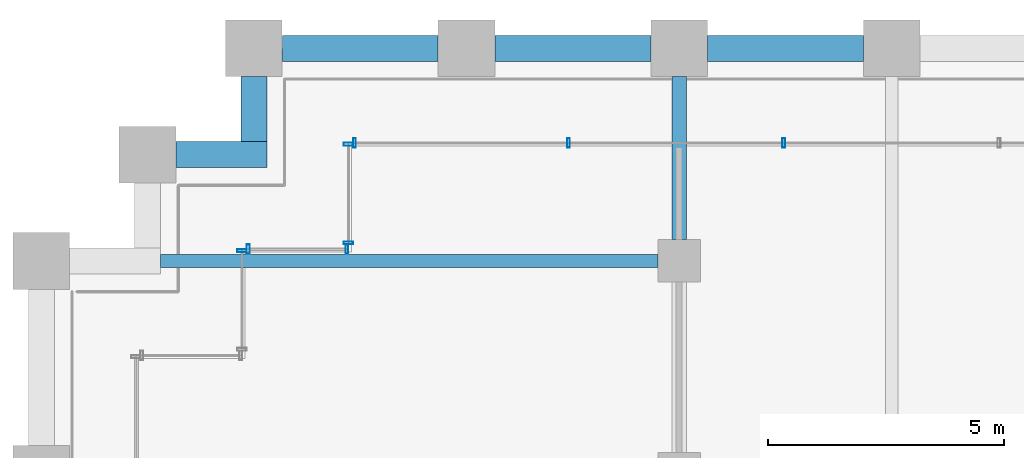
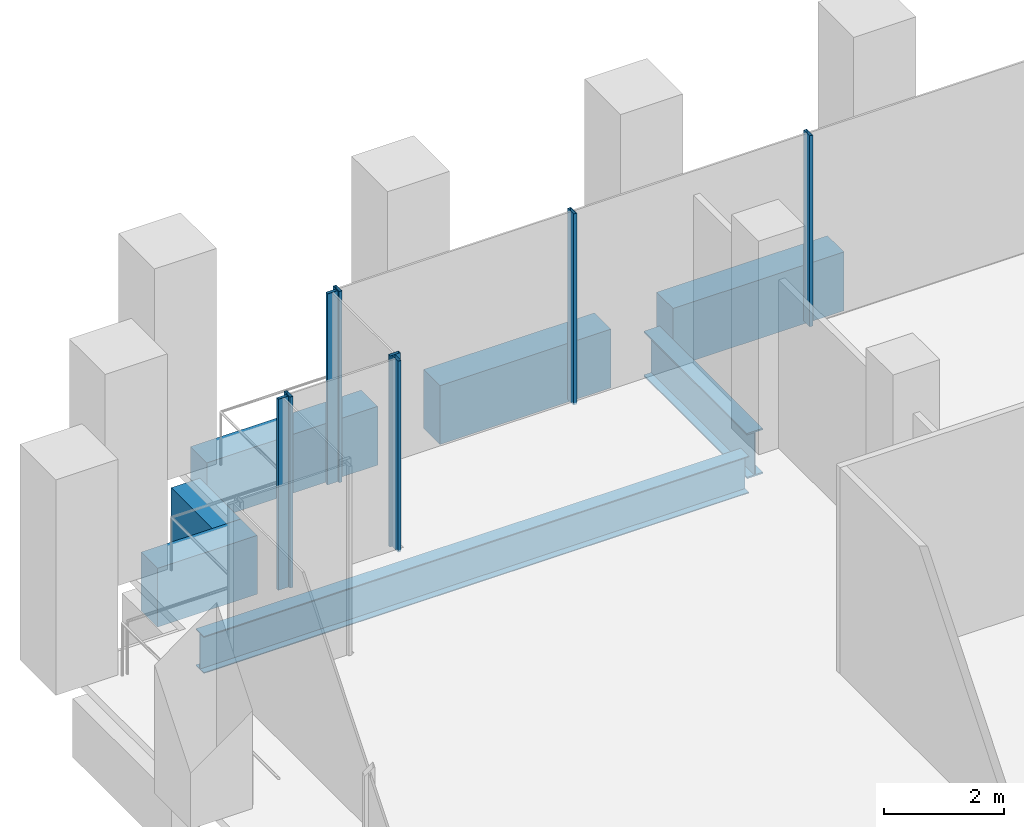
# One storey, part 14 of 36: 8 members, 7 beams, 4 elements without a shape of their own.
"""IFC4 building model written with IfcOpenShell, lengths in metres."""

from ifc_helpers import new_model, si_unit, direction, frame, origin, origin_2d, place, context, subcontext, project, spatial, rectangle, hollow_rectangle, i_section, extrude, material, material_profile, profile_set, type_object, element, aggregate, save


model = new_model("IFC4")

# Units and contexts
model_context = context("Model", 3, precision=1e-05, world=origin(), true_north=direction((0.0, 1.0)))
body_context = subcontext(model_context, "Body", "Model", "MODEL_VIEW")
ifc_project = project(units=[si_unit("LENGTHUNIT", "METRE"), si_unit("AREAUNIT", "SQUARE_METRE"), si_unit("VOLUMEUNIT", "CUBIC_METRE"), si_unit("PLANEANGLEUNIT", "RADIAN"), si_unit("MASSUNIT", "GRAM", prefix="KILO")], contexts=[model_context])

# Site, building, storey
site_placement = place(None, origin())
site = spatial("IfcSite", under=ifc_project, at=site_placement, CompositionType="ELEMENT")
building_placement = place(site_placement, origin())
building = spatial("IfcBuilding", under=site, at=building_placement, Name="Altepetl Exchange Towers", CompositionType="ELEMENT")
storey_placement = place(building_placement, frame((0.0, 0.0, 43.0)))
storey = spatial("IfcBuildingStorey", under=building, at=storey_placement, Name="L09", CompositionType="ELEMENT", Elevation=43.0)

# Beams
ifc_material_1 = material(Name="Steel S355", Category="steel")
ifc_material_profile_1 = material_profile(ifc_material_1, i_section(OverallWidth=0.26611328125, OverallDepth=0.758056640625, WebThickness=0.013916015625, FlangeThickness=0.019287109375, at=origin_2d()), Name="W30X108")
ifc_profile_set_1 = profile_set([ifc_material_profile_1], Name="Steel S355")
beam_type_1 = type_object("IfcBeamType", Name="Floor beam W30X108", PredefinedType="BEAM", material=ifc_profile_set_1)
beam_1_placement = place(storey_placement, frame((29.52490234375, 67.5, -0.553955078125), z_axis=(1.0, 0.0, 0.0), x_axis=(0.0, 1.0, 0.0)))
element("IfcBeam", 1, at=beam_1_placement, inside=storey, type_object=beam_type_1, Name="bm:A:L09:023", PredefinedType="BEAM", context=body_context, shape_type="SweptSolid", body=[
    extrude(i_section(OverallWidth=0.26611328125, OverallDepth=0.758056640625, WebThickness=0.013916015625, FlangeThickness=0.019287109375, at=origin_2d()), origin(), (0.0, 0.0, 1.0), 10.525146484375),
])
ifc_material_profile_2 = material_profile(ifc_material_1, i_section(OverallWidth=0.306884765625, OverallDepth=0.923095703125, WebThickness=0.018310546875, FlangeThickness=0.030029296875, at=origin_2d()), Name="W36X182")
ifc_profile_set_2 = profile_set([ifc_material_profile_2], Name="Steel S355")
beam_type_2 = type_object("IfcBeamType", Name="Girder W36X182", PredefinedType="BEAM", material=ifc_profile_set_2)
beam_2_placement = place(storey_placement, frame((40.5, 71.39990234375, -0.636474609375), z_axis=(0.0, -1.0, 0.0), x_axis=(1.0, 0.0, 0.0)))
element("IfcBeam", 2, at=beam_2_placement, inside=storey, type_object=beam_type_2, Name="gd:A:L09:003", PredefinedType="BEAM", context=body_context, shape_type="SweptSolid", body=[
    extrude(i_section(OverallWidth=0.306884765625, OverallDepth=0.923095703125, WebThickness=0.018310546875, FlangeThickness=0.030029296875, at=origin_2d()), origin(), (0.0, 0.0, 1.0), 3.449951171875),
])

# Curtain wall, members
ifc_material_2 = material(Name="Aluminium 6063-T6 glazing", Category="aluminium")
curtain_wall_type = type_object("IfcCurtainWallType", Name="Trading floor glazing system", PredefinedType="NOTDEFINED", material=ifc_material_2)
curtain_wall_1_placement = place(storey_placement, origin())
curtain_wall_1 = element("IfcCurtainWall", 3, at=curtain_wall_1_placement, inside=storey, type_object=curtain_wall_type, Name="CW2 run", PredefinedType="NOTDEFINED")
ifc_material_3 = material(Name="Aluminium 6063-T6", Category="aluminium")
ifc_material_profile_3 = material_profile(ifc_material_3, hollow_rectangle(XDim=0.06005859375, YDim=0.199951171875, WallThickness=0.0029296875, at=origin_2d()), Name="Mullion 60x200 aluminium")
ifc_profile_set_3 = profile_set([ifc_material_profile_3], Name="Aluminium 6063-T6")
member_type = type_object("IfcMemberType", Name="Mullion 60x200 aluminium", PredefinedType="MULLION", material=ifc_profile_set_3)
member_1_placement = place(storey_placement, frame((42.71435546875, 70.0, 0.0), z_axis=(0.0, 0.0, 1.0), x_axis=(-1.0, 0.0, 0.0)))
member_1 = element("IfcMember", 4, at=member_1_placement, type_object=member_type, Name="MU2 mullion", PredefinedType="MULLION", context=body_context, shape_type="SweptSolid", body=[
    extrude(hollow_rectangle(XDim=0.06005859375, YDim=0.199951171875, WallThickness=0.0029296875, at=origin_2d()), origin(), (0.0, 0.0, 1.0), 3.89990234375),
])
member_2_placement = place(storey_placement, frame((38.1572265625, 70.0, 0.0), z_axis=(0.0, 0.0, 1.0), x_axis=(-1.0, 0.0, 0.0)))
member_2 = element("IfcMember", 5, at=member_2_placement, type_object=member_type, Name="MU2 mullion", PredefinedType="MULLION", context=body_context, shape_type="SweptSolid", body=[
    extrude(hollow_rectangle(XDim=0.06005859375, YDim=0.199951171875, WallThickness=0.0029296875, at=origin_2d()), origin(), (0.0, 0.0, 1.0), 3.89990234375),
])
member_3_placement = place(storey_placement, frame((33.6298828125, 70.0, 0.0), z_axis=(0.0, 0.0, 1.0), x_axis=(-1.0, 0.0, 0.0)))
member_3 = element("IfcMember", 6, at=member_3_placement, type_object=member_type, Name="MU2 mullion", PredefinedType="MULLION", context=body_context, shape_type="SweptSolid", body=[
    extrude(hollow_rectangle(XDim=0.06005859375, YDim=0.199951171875, WallThickness=0.0029296875, at=origin_2d()), origin(), (0.0, 0.0, 1.0), 3.89990234375),
])
aggregate(curtain_wall_1, [member_1, member_2, member_3])

curtain_wall_2_placement = place(storey_placement, origin())
curtain_wall_2 = element("IfcCurtainWall", 7, at=curtain_wall_2_placement, inside=storey, type_object=curtain_wall_type, Name="CW2 run", PredefinedType="NOTDEFINED")
member_4_placement = place(storey_placement, frame((33.5, 69.969970703125, 0.0), z_axis=(0.0, 0.0, 1.0), x_axis=(0.0, -1.0, 0.0)))
member_4 = element("IfcMember", 8, at=member_4_placement, type_object=member_type, Name="MU2 mullion", PredefinedType="MULLION", context=body_context, shape_type="SweptSolid", body=[
    extrude(hollow_rectangle(XDim=0.06005859375, YDim=0.199951171875, WallThickness=0.0029296875, at=origin_2d()), origin(), (0.0, 0.0, 1.0), 3.89990234375),
])
member_5_placement = place(storey_placement, frame((33.5, 67.8798828125, 0.0), z_axis=(0.0, 0.0, 1.0), x_axis=(0.0, -1.0, 0.0)))
member_5 = element("IfcMember", 9, at=member_5_placement, type_object=member_type, Name="MU2 mullion", PredefinedType="MULLION", context=body_context, shape_type="SweptSolid", body=[
    extrude(hollow_rectangle(XDim=0.06005859375, YDim=0.199951171875, WallThickness=0.0029296875, at=origin_2d()), origin(), (0.0, 0.0, 1.0), 3.89990234375),
])
aggregate(curtain_wall_2, [member_4, member_5])

curtain_wall_3_placement = place(storey_placement, origin())
curtain_wall_3 = element("IfcCurtainWall", 10, at=curtain_wall_3_placement, inside=storey, type_object=curtain_wall_type, Name="CW2 run", PredefinedType="NOTDEFINED")
member_6_placement = place(storey_placement, frame((33.469970703125, 67.75, 0.0), z_axis=(0.0, 0.0, 1.0), x_axis=(-1.0, 0.0, 0.0)))
member_6 = element("IfcMember", 11, at=member_6_placement, type_object=member_type, Name="MU2 mullion", PredefinedType="MULLION", context=body_context, shape_type="SweptSolid", body=[
    extrude(hollow_rectangle(XDim=0.06005859375, YDim=0.199951171875, WallThickness=0.0029296875, at=origin_2d()), origin(), (0.0, 0.0, 1.0), 3.89990234375),
])
member_7_placement = place(storey_placement, frame((31.3798828125, 67.75, 0.0), z_axis=(0.0, 0.0, 1.0), x_axis=(-1.0, 0.0, 0.0)))
member_7 = element("IfcMember", 12, at=member_7_placement, type_object=member_type, Name="MU2 mullion", PredefinedType="MULLION", context=body_context, shape_type="SweptSolid", body=[
    extrude(hollow_rectangle(XDim=0.06005859375, YDim=0.199951171875, WallThickness=0.0029296875, at=origin_2d()), origin(), (0.0, 0.0, 1.0), 3.89990234375),
])
aggregate(curtain_wall_3, [member_6, member_7])

# Curtain wall, member
curtain_wall_4_placement = place(storey_placement, origin())
curtain_wall_4 = element("IfcCurtainWall", 13, at=curtain_wall_4_placement, inside=storey, type_object=curtain_wall_type, Name="CW2 run", PredefinedType="NOTDEFINED")
member_8_placement = place(storey_placement, frame((31.25, 67.719970703125, 0.0), z_axis=(0.0, 0.0, 1.0), x_axis=(0.0, -1.0, 0.0)))
member_8 = element("IfcMember", 14, at=member_8_placement, type_object=member_type, Name="MU2 mullion", PredefinedType="MULLION", context=body_context, shape_type="SweptSolid", body=[
    extrude(hollow_rectangle(XDim=0.06005859375, YDim=0.199951171875, WallThickness=0.0029296875, at=origin_2d()), origin(), (0.0, 0.0, 1.0), 3.89990234375),
])
aggregate(curtain_wall_4, [member_8])

# Beams
ifc_material_4 = material(Name="Concrete C50/60 precast with cantera rosa facing", Category="concrete")
ifc_material_profile_4 = material_profile(ifc_material_4, rectangle(XDim=0.550048828125, YDim=1.199951171875, at=origin_2d()), Name="550 x 1200")
ifc_profile_set_4 = profile_set([ifc_material_profile_4], Name="Concrete C50/60 precast with cantera rosa facing")
beam_type_3 = type_object("IfcBeamType", Name="Spandrel beam 550x1200 cantera rosa", PredefinedType="SPANDREL", material=ifc_profile_set_4)
beam_3_placement = place(storey_placement, frame((44.39990234375, 72.0, -0.77490234375), z_axis=(-1.0, 0.0, 0.0), x_axis=(0.0, -1.0, 0.0)))
element("IfcBeam", 15, at=beam_3_placement, inside=storey, type_object=beam_type_3, Name="sp:A:L09:029", PredefinedType="SPANDREL", context=body_context, shape_type="SweptSolid", body=[
    extrude(rectangle(XDim=0.550048828125, YDim=1.199951171875, at=origin_2d()), origin(), (0.0, 0.0, 1.0), 3.2998046875),
])
ifc_material_5 = material(Name="Concrete C50/60 precast with tezontle facing", Category="concrete")
ifc_material_profile_5 = material_profile(ifc_material_5, rectangle(XDim=0.550048828125, YDim=1.199951171875, at=origin_2d()), Name="550 x 1200")
ifc_profile_set_5 = profile_set([ifc_material_profile_5], Name="Concrete C50/60 precast with tezontle facing")
beam_type_4 = type_object("IfcBeamType", Name="Spandrel beam 550x1200 tezontle", PredefinedType="SPANDREL", material=ifc_profile_set_5)
for number, where, z_axis, x_axis, name in (
    (16, (39.89990234375, 72.0, -0.77490234375), (-1.0, 0.0, 0.0), (0.0, -1.0, 0.0), "sp:A:L09:030"),
    (17, (35.39990234375, 72.0, -0.77490234375), (-1.0, 0.0, 0.0), (0.0, -1.0, 0.0), "sp:A:L09:031"),
):
    element("IfcBeam", number, at=place(storey_placement, frame(where, z_axis=z_axis, x_axis=x_axis)), inside=storey, type_object=beam_type_4, Name=name, PredefinedType="SPANDREL", context=body_context, shape_type="SweptSolid", body=[
        extrude(rectangle(XDim=0.550048828125, YDim=1.199951171875, at=origin_2d()), origin(), (0.0, 0.0, 1.0), 3.2998046875),
    ])
beam_4_placement = place(storey_placement, frame((31.5, 71.39990234375, -0.77490234375), z_axis=(0.0, -1.0, 0.0), x_axis=(1.0, 0.0, 0.0)))
element("IfcBeam", 18, at=beam_4_placement, inside=storey, type_object=beam_type_4, Name="sp:A:L09:032", PredefinedType="SPANDREL", context=body_context, shape_type="SweptSolid", body=[
    extrude(rectangle(XDim=0.550048828125, YDim=1.199951171875, at=origin_2d()), origin(), (0.0, 0.0, 1.0), 1.375),
])
beam_5_placement = place(storey_placement, frame((31.77490234375, 69.75, -0.77490234375), z_axis=(-1.0, 0.0, 0.0), x_axis=(0.0, -1.0, 0.0)))
element("IfcBeam", 19, at=beam_5_placement, inside=storey, type_object=beam_type_4, Name="sp:A:L09:033", PredefinedType="SPANDREL", context=body_context, shape_type="SweptSolid", body=[
    extrude(rectangle(XDim=0.550048828125, YDim=1.199951171875, at=origin_2d()), origin(), (0.0, 0.0, 1.0), 1.9248046875),
])

save(model, "model.ifc")
